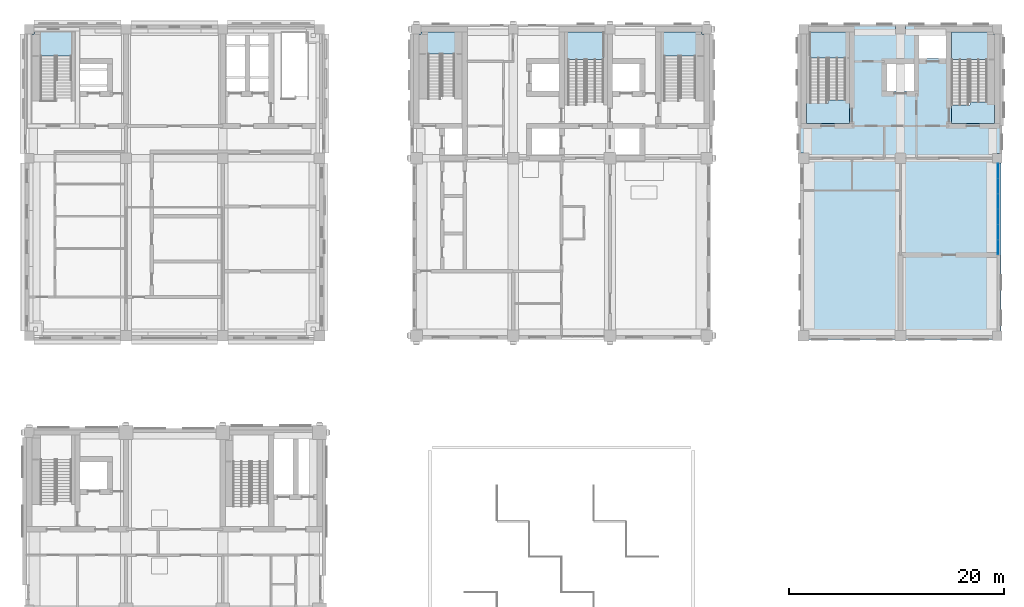
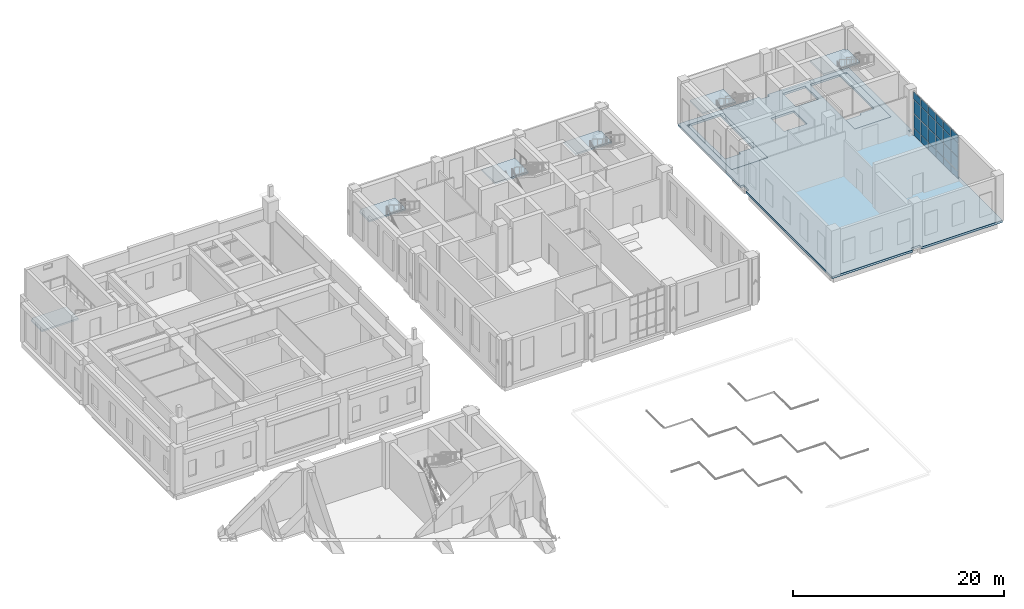
# One storey, part 15 of 37: 24 plates, 9 slabs, 7 elements without a shape of their own.
"""IFC4 building model written with IfcOpenShell, lengths in metres."""

import ifcopenshell
import ifcopenshell.guid

model = None  # the IFC model being written
_history = None  # IfcOwnerHistory: only IFC2X3 demands one
_inside = {}  # id of a spatial element -> (the spatial element, [elements in it])
_under = {}  # id of a project, library or spatial element -> (it, [spatial elements below it])
_declared = {}  # id of a project -> (the project, [libraries it declares])
_typed = {}  # id of a type object -> (the type object, [elements of that type])
_made_of = {}  # id of a material, layer set ... -> (it, [elements and type objects made of it])


def new_model(schema):
    """Start an empty IFC model of exactly this schema.

    Asked for "IFC4X3", IfcOpenShell would pick the latest addendum, in which some entities
    have other attributes; the version numbers below select the first issue.
    IFC2X3 requires an IfcOwnerHistory on every rooted entity: one is made here for all.
    """
    global model, _history
    if schema == "IFC4X3":
        model = ifcopenshell.file(schema_version=(4, 3, 0, 0))
    else:
        model = ifcopenshell.file(schema=schema)
    _inside.clear()
    _under.clear()
    _declared.clear()
    _typed.clear()
    _made_of.clear()
    _history = None
    if model.schema == "IFC2X3":
        org = make("IfcOrganization", Name="unknown")
        user = make(
            "IfcPersonAndOrganization",
            ThePerson=make("IfcPerson", FamilyName="unknown"),
            TheOrganization=org,
        )
        app = make(
            "IfcApplication",
            ApplicationDeveloper=org,
            Version="unknown",
            ApplicationFullName="unknown",
            ApplicationIdentifier="unknown",
        )
        _history = make(
            "IfcOwnerHistory",
            OwningUser=user,
            OwningApplication=app,
            ChangeAction="ADDED",
            CreationDate=0,
        )
    return model


def make(cls, **values):
    """One entity of the class cls with the attributes given. An attribute that is None is left unset."""
    return model.create_entity(
        cls, **{name: value for name, value in values.items() if value is not None}
    )


def rooted(cls, **values):
    """An entity with a GlobalId (a new one), such as an element, a storey or a relation."""
    return make(cls, GlobalId=ifcopenshell.guid.new(), OwnerHistory=_history, **values)


def si_unit(unit_type, name, prefix=None):
    """IfcSIUnit, for example si_unit("LENGTHUNIT", "METRE", prefix="MILLI")."""
    return make("IfcSIUnit", UnitType=unit_type, Prefix=prefix, Name=name)


def assignment(units):
    """IfcUnitAssignment: the units of a project."""
    return None if units is None else make("IfcUnitAssignment", Units=units)


def point(xyz):
    """IfcCartesianPoint."""
    return None if xyz is None else make("IfcCartesianPoint", Coordinates=xyz)


def direction(xyz):
    """IfcDirection."""
    return None if xyz is None else make("IfcDirection", DirectionRatios=xyz)


def frame(location, z_axis=None, x_axis=None):
    """IfcAxis2Placement3D, a coordinate frame: its origin and axes. An axis left out is left unset."""
    return make(
        "IfcAxis2Placement3D",
        Location=point(location),
        Axis=direction(z_axis),
        RefDirection=direction(x_axis),
    )


def frame_2d(location, x_axis=None):
    """IfcAxis2Placement2D, a coordinate frame in the plane: its origin and x axis."""
    return make(
        "IfcAxis2Placement2D", Location=point(location), RefDirection=direction(x_axis)
    )


def origin():
    """The frame at (0, 0, 0) with its axes left unset."""
    return frame((0.0, 0.0, 0.0))


def origin_2d():
    """The frame at (0, 0) in the plane with its x axis left unset."""
    return frame_2d((0.0, 0.0))


def place(relative_to, where):
    """IfcLocalPlacement: puts the frame where relative to a parent placement (None: the world)."""
    return make(
        "IfcLocalPlacement", PlacementRelTo=relative_to, RelativePlacement=where
    )


def context(
    kind, dimensions, precision=None, world=None, true_north=None, identifier=None
):
    """IfcGeometricRepresentationContext, for example the 3D "Model" context."""
    return make(
        "IfcGeometricRepresentationContext",
        ContextIdentifier=identifier,
        ContextType=kind,
        CoordinateSpaceDimension=dimensions,
        Precision=precision,
        WorldCoordinateSystem=world,
        TrueNorth=true_north,
    )


def subcontext(parent, identifier, kind, view, scale=None):
    """IfcGeometricRepresentationSubContext, for example "Body" below "Model"."""
    return make(
        "IfcGeometricRepresentationSubContext",
        ContextIdentifier=identifier,
        ContextType=kind,
        ParentContext=parent,
        TargetScale=scale,
        TargetView=view,
    )


def project(units=None, contexts=None):
    """IfcProject with its units and contexts."""
    return rooted(
        "IfcProject",
        Name="project",
        RepresentationContexts=contexts,
        UnitsInContext=assignment(units),
    )


def spatial(cls, under=None, at=None, **own):
    """A site, building, storey or space (cls), placed at a placement, below another one or the project."""
    s = rooted(cls, ObjectPlacement=at, **own)
    if under is not None:
        _under.setdefault(under.id(), (under, []))[1].append(s)
    return s


def polyline(points):
    """IfcPolyline through the points."""
    return make("IfcPolyline", Points=[point(p) for p in points])


def profile(cls, at=None, kind="AREA", **sizes):
    """A parametric profile (cls). Its sizes go by their IFC names, for example OverallWidth=200.0."""
    return make(cls, ProfileType=kind, Position=at, **sizes)


def rectangle(**sizes):
    """IfcRectangleProfileDef."""
    return profile("IfcRectangleProfileDef", **sizes)


def outline(outer, holes=None, kind="AREA"):
    """IfcArbitraryClosedProfileDef: a profile drawn as a closed curve; with holes, ...WithVoids."""
    if holes is None:
        return make("IfcArbitraryClosedProfileDef", ProfileType=kind, OuterCurve=outer)
    return make(
        "IfcArbitraryProfileDefWithVoids",
        ProfileType=kind,
        OuterCurve=outer,
        InnerCurves=holes,
    )


def extrude(swept, where, along, depth):
    """IfcExtrudedAreaSolid: the profile swept, set in the frame where, extruded along a direction by depth."""
    return make(
        "IfcExtrudedAreaSolid",
        SweptArea=swept,
        Position=where,
        ExtrudedDirection=direction(along),
        Depth=depth,
    )


def shape(context_of_items, identifier, shape_type, items):
    """IfcShapeRepresentation: the items that make up one representation, for example the "Body"."""
    return make(
        "IfcShapeRepresentation",
        ContextOfItems=context_of_items,
        RepresentationIdentifier=identifier,
        RepresentationType=shape_type,
        Items=items,
    )


def material(Name=None, Category=None):
    """IfcMaterial."""
    return make("IfcMaterial", Name=Name, Category=Category)


def layer(
    of_material, thickness, ventilated=None, Name=None, Category=None, Priority=None
):
    """IfcMaterialLayer: one layer of a wall or slab, of a material (None: an air gap)."""
    return make(
        "IfcMaterialLayer",
        Material=of_material,
        LayerThickness=thickness,
        IsVentilated=ventilated,
        Name=Name,
        Category=Category,
        Priority=Priority,
    )


def layer_set(layers, Name=None):
    """IfcMaterialLayerSet."""
    return make("IfcMaterialLayerSet", MaterialLayers=layers, LayerSetName=Name)


def made_of(thing, what):
    """Note that an element or type object is made of a material, layer set ...; save() writes the relation."""
    if what is not None:
        _made_of.setdefault(what.id(), (what, []))[1].append(thing)
    return thing


def type_object(cls, material=None, **own):
    """A type object (cls), such as IfcWallType, which elements share."""
    return made_of(rooted(cls, **own), material)


def element(
    cls,
    number,
    at=None,
    inside=None,
    cuts=None,
    type_object=None,
    material=None,
    context=None,
    identifier="Body",
    shape_type=None,
    held_by="IfcProductDefinitionShape",
    body=None,
    shapes=None,
    **own,
):
    """One element of the class cls, such as IfcWall. Its Tag is "e" and its number.

    at: its placement. inside: the storey or other place that contains it. cuts: it is an
    opening in that element (IfcRelVoidsElement). A single representation is given by context,
    identifier, shape_type and body (its items); several are given by shapes. held_by: the class
    of the entity that holds the representations. save() writes the other relations.
    """
    e = rooted(cls, Tag="e%d" % number, ObjectPlacement=at, **own)
    if body is not None:
        shapes = [shape(context, identifier, shape_type, body)]
    if shapes is not None:
        e.Representation = make(held_by, Representations=shapes)
    if inside is not None:
        _inside.setdefault(inside.id(), (inside, []))[1].append(e)
    if cuts is not None:
        rooted(
            "IfcRelVoidsElement", RelatingBuildingElement=cuts, RelatedOpeningElement=e
        )
    if type_object is not None:
        _typed.setdefault(type_object.id(), (type_object, []))[1].append(e)
    return made_of(e, material)


def aggregate(whole, parts):
    """IfcRelAggregates: a whole, such as a stair, and the parts it consists of."""
    return rooted("IfcRelAggregates", RelatingObject=whole, RelatedObjects=parts)


def save(model, path):
    """Write the relations noted so far, then the file.

    IfcRelAggregates (storeys below a building ...), IfcRelContainedInSpatialStructure (elements
    in a storey), IfcRelDefinesByType, IfcRelAssociatesMaterial and IfcRelDeclares: one each for
    every whole, place, type object, material and project.
    """
    for whole, parts in _under.values():
        aggregate(whole, parts)
    for where, things in _inside.values():
        rooted(
            "IfcRelContainedInSpatialStructure",
            RelatedElements=things,
            RelatingStructure=where,
        )
    for kind, things in _typed.values():
        rooted("IfcRelDefinesByType", RelatedObjects=things, RelatingType=kind)
    for what, things in _made_of.values():
        rooted("IfcRelAssociatesMaterial", RelatedObjects=things, RelatingMaterial=what)
    for by, libraries in _declared.values():
        rooted("IfcRelDeclares", RelatingContext=by, RelatedDefinitions=libraries)
    model.write(path)


model = new_model("IFC4")

# Units and contexts
model_context = context("Model", 3, precision=1e-05, world=origin(), true_north=direction((0.0, 1.0)))
body_context = subcontext(model_context, "Body", "Model", "MODEL_VIEW")
ifc_project = project(units=[si_unit("LENGTHUNIT", "METRE"), si_unit("AREAUNIT", "SQUARE_METRE"), si_unit("VOLUMEUNIT", "CUBIC_METRE"), si_unit("PLANEANGLEUNIT", "RADIAN"), si_unit("MASSUNIT", "GRAM", prefix="KILO")], contexts=[model_context])

# Site, building, storey
site_placement = place(None, origin())
site = spatial("IfcSite", under=ifc_project, at=site_placement, CompositionType="ELEMENT")
building_placement = place(site_placement, origin())
building = spatial("IfcBuilding", under=site, at=building_placement, Name="Aurelan Courthouse", CompositionType="ELEMENT")
storey_placement = place(building_placement, frame((0.0, 0.0, 17.39990234375)))
storey = spatial("IfcBuildingStorey", under=building, at=storey_placement, Name="L03", CompositionType="ELEMENT", Elevation=17.39990234375)

# Curtain wall, plates
ifc_material_1 = material(Name="Bronze-finished aluminium and glass", Category="aluminium")
ifc_layer_1 = layer(ifc_material_1, 0.14990234375)
ifc_layer_set_1 = layer_set([ifc_layer_1], Name="Bronze-finished aluminium and glass")
curtain_wall_type = type_object("IfcCurtainWallType", Name="Curtain wall 8550 x 5150", PredefinedType="NOTDEFINED", material=ifc_layer_set_1)
curtain_wall_placement = place(storey_placement, origin())
curtain_wall = element("IfcCurtainWall", 1, at=curtain_wall_placement, inside=storey, type_object=curtain_wall_type, Name="Curtain wall CW-V3-L03-E01", PredefinedType="NOTDEFINED")
ifc_material_2 = material(Name="Bronze-finished aluminium", Category="aluminium")
ifc_layer_2 = layer(ifc_material_2, 0.070068359375)
ifc_layer_set_2 = layer_set([ifc_layer_2], Name="Bronze-finished aluminium")
plate_type_1 = type_object("IfcPlateType", Name="Bronze spandrel panel 70", PredefinedType="CURTAIN_PANEL", material=ifc_layer_set_2)
plate_1_placement = place(storey_placement, frame((90.074951171875, 45.7275390625, 4.22998046875), z_axis=(0.0, 0.0, 1.0), x_axis=(0.0, 1.0, 0.0)))
plate_1 = element("IfcPlate", 2, at=plate_1_placement, type_object=plate_type_1, Name="CW-V3-L03-E01 spandrel panel 1.4", PredefinedType="CURTAIN_PANEL", context=body_context, shape_type="SweptSolid", body=[
    extrude(rectangle(XDim=1.3349609375, YDim=0.070068359375, at=origin_2d()), origin(), (0.0, 0.0, 1.0), 0.860107421875),
])
plate_2_placement = place(storey_placement, frame((90.074951171875, 47.137451171875, 4.22998046875), z_axis=(0.0, 0.0, 1.0), x_axis=(0.0, 1.0, 0.0)))
plate_2 = element("IfcPlate", 3, at=plate_2_placement, type_object=plate_type_1, Name="CW-V3-L03-E01 spandrel panel 2.4", PredefinedType="CURTAIN_PANEL", context=body_context, shape_type="SweptSolid", body=[
    extrude(rectangle(XDim=1.364990234375, YDim=0.070068359375, at=origin_2d()), origin(), (0.0, 0.0, 1.0), 0.860107421875),
])
plate_3_placement = place(storey_placement, frame((90.074951171875, 48.5625, 4.22998046875), z_axis=(0.0, 0.0, 1.0), x_axis=(0.0, 1.0, 0.0)))
plate_3 = element("IfcPlate", 4, at=plate_3_placement, type_object=plate_type_1, Name="CW-V3-L03-E01 spandrel panel 3.4", PredefinedType="CURTAIN_PANEL", context=body_context, shape_type="SweptSolid", body=[
    extrude(rectangle(XDim=1.364990234375, YDim=0.070068359375, at=origin_2d()), origin(), (0.0, 0.0, 1.0), 0.860107421875),
])
plate_4_placement = place(storey_placement, frame((90.074951171875, 49.987548828125, 4.22998046875), z_axis=(0.0, 0.0, 1.0), x_axis=(0.0, 1.0, 0.0)))
plate_4 = element("IfcPlate", 5, at=plate_4_placement, type_object=plate_type_1, Name="CW-V3-L03-E01 spandrel panel 4.4", PredefinedType="CURTAIN_PANEL", context=body_context, shape_type="SweptSolid", body=[
    extrude(rectangle(XDim=1.364990234375, YDim=0.070068359375, at=origin_2d()), origin(), (0.0, 0.0, 1.0), 0.860107421875),
])
plate_5_placement = place(storey_placement, frame((90.074951171875, 51.41259765625, 4.22998046875), z_axis=(0.0, 0.0, 1.0), x_axis=(0.0, 1.0, 0.0)))
plate_5 = element("IfcPlate", 6, at=plate_5_placement, type_object=plate_type_1, Name="CW-V3-L03-E01 spandrel panel 5.4", PredefinedType="CURTAIN_PANEL", context=body_context, shape_type="SweptSolid", body=[
    extrude(rectangle(XDim=1.364990234375, YDim=0.070068359375, at=origin_2d()), origin(), (0.0, 0.0, 1.0), 0.860107421875),
])
plate_6_placement = place(storey_placement, frame((90.074951171875, 52.822509765625, 4.22998046875), z_axis=(0.0, 0.0, 1.0), x_axis=(0.0, 1.0, 0.0)))
plate_6 = element("IfcPlate", 7, at=plate_6_placement, type_object=plate_type_1, Name="CW-V3-L03-E01 spandrel panel 6.4", PredefinedType="CURTAIN_PANEL", context=body_context, shape_type="SweptSolid", body=[
    extrude(rectangle(XDim=1.3349609375, YDim=0.070068359375, at=origin_2d()), origin(), (0.0, 0.0, 1.0), 0.860107421875),
])

# Slab
ifc_material_3 = material(Name="Concrete C40", Category="concrete")
ifc_layer_3 = layer(ifc_material_3, 0.25)
ifc_layer_set_3 = layer_set([ifc_layer_3], Name="Concrete C40")
slab_type_1 = type_object("IfcSlabType", Name="PT floor slab 250", PredefinedType="FLOOR", material=ifc_layer_set_3)
slab_1_placement = place(storey_placement, frame((0.0, 0.0, -0.25)))
element("IfcSlab", 8, at=slab_1_placement, inside=storey, type_object=slab_type_1, Name="Floor slab SL-L03-02", PredefinedType="FLOOR", context=body_context, shape_type="SweptSolid", body=[
    extrude(outline(polyline([(72.0, 53.5), (71.64990234375, 53.5), (71.64990234375, 38.0), (71.64990234375, 37.14990234375), (72.5, 37.14990234375), (80.5, 37.14990234375), (80.5, 37.5), (81.5, 37.5), (81.5, 37.14990234375), (89.550048828125, 37.14990234375), (90.35009765625, 37.14990234375), (90.35009765625, 37.949951171875), (90.35009765625, 53.550048828125), (90.0, 53.550048828125), (90.0, 54.449951171875), (90.35009765625, 54.449951171875), (90.35009765625, 65.550048828125), (90.35009765625, 66.35009765625), (89.550048828125, 66.35009765625), (81.449951171875, 66.35009765625), (81.449951171875, 66.0), (80.550048828125, 66.0), (80.550048828125, 66.35009765625), (72.449951171875, 66.35009765625), (71.64990234375, 66.35009765625), (71.64990234375, 65.550048828125), (71.64990234375, 54.5), (72.0, 54.5), (72.0, 53.5)]), holes=[polyline([(85.75, 57.25), (85.75, 65.75), (89.75, 65.75), (89.75, 57.25), (85.75, 57.25)]), polyline([(82.75, 65.75), (85.25, 65.75), (85.25, 63.25), (82.75, 63.25), (82.75, 65.75)]), polyline([(82.25, 62.75), (82.25, 60.25), (79.75, 60.25), (79.75, 62.75), (82.25, 62.75)]), polyline([(76.25, 57.25), (72.25, 57.25), (72.25, 65.75), (76.25, 65.75), (76.25, 57.25)])]), origin(), (0.0, 0.0, 1.0), 0.25),
])

# Plate
ifc_layer_4 = layer(ifc_material_2, 0.0400390625)
ifc_layer_set_4 = layer_set([ifc_layer_4], Name="Bronze-finished aluminium")
plate_type_2 = type_object("IfcPlateType", Name="Sill panel 40", PredefinedType="CURTAIN_PANEL", material=ifc_layer_set_4)
plate_7_placement = place(storey_placement, frame((90.074951171875, 45.7275390625, 0.06005859375), z_axis=(0.0, 0.0, 1.0), x_axis=(0.0, 1.0, 0.0)))
plate_7 = element("IfcPlate", 9, at=plate_7_placement, type_object=plate_type_2, Name="CW-V3-L03-E01 sill panel 1.1", PredefinedType="CURTAIN_PANEL", context=body_context, shape_type="SweptSolid", body=[
    extrude(rectangle(XDim=1.3349609375, YDim=0.0400390625, at=origin_2d()), origin(), (0.0, 0.0, 1.0), 0.81005859375),
])

plate_8_placement = place(storey_placement, frame((90.074951171875, 47.137451171875, 0.06005859375), z_axis=(0.0, 0.0, 1.0), x_axis=(0.0, 1.0, 0.0)))
plate_8 = element("IfcPlate", 10, at=plate_8_placement, type_object=plate_type_2, Name="CW-V3-L03-E01 sill panel 2.1", PredefinedType="CURTAIN_PANEL", context=body_context, shape_type="SweptSolid", body=[
    extrude(rectangle(XDim=1.364990234375, YDim=0.0400390625, at=origin_2d()), origin(), (0.0, 0.0, 1.0), 0.81005859375),
])

plate_9_placement = place(storey_placement, frame((90.074951171875, 48.5625, 0.06005859375), z_axis=(0.0, 0.0, 1.0), x_axis=(0.0, 1.0, 0.0)))
plate_9 = element("IfcPlate", 11, at=plate_9_placement, type_object=plate_type_2, Name="CW-V3-L03-E01 sill panel 3.1", PredefinedType="CURTAIN_PANEL", context=body_context, shape_type="SweptSolid", body=[
    extrude(rectangle(XDim=1.364990234375, YDim=0.0400390625, at=origin_2d()), origin(), (0.0, 0.0, 1.0), 0.81005859375),
])

plate_10_placement = place(storey_placement, frame((90.074951171875, 49.987548828125, 0.06005859375), z_axis=(0.0, 0.0, 1.0), x_axis=(0.0, 1.0, 0.0)))
plate_10 = element("IfcPlate", 12, at=plate_10_placement, type_object=plate_type_2, Name="CW-V3-L03-E01 sill panel 4.1", PredefinedType="CURTAIN_PANEL", context=body_context, shape_type="SweptSolid", body=[
    extrude(rectangle(XDim=1.364990234375, YDim=0.0400390625, at=origin_2d()), origin(), (0.0, 0.0, 1.0), 0.81005859375),
])

plate_11_placement = place(storey_placement, frame((90.074951171875, 51.41259765625, 0.06005859375), z_axis=(0.0, 0.0, 1.0), x_axis=(0.0, 1.0, 0.0)))
plate_11 = element("IfcPlate", 13, at=plate_11_placement, type_object=plate_type_2, Name="CW-V3-L03-E01 sill panel 5.1", PredefinedType="CURTAIN_PANEL", context=body_context, shape_type="SweptSolid", body=[
    extrude(rectangle(XDim=1.364990234375, YDim=0.0400390625, at=origin_2d()), origin(), (0.0, 0.0, 1.0), 0.81005859375),
])

plate_12_placement = place(storey_placement, frame((90.074951171875, 52.822509765625, 0.06005859375), z_axis=(0.0, 0.0, 1.0), x_axis=(0.0, 1.0, 0.0)))
plate_12 = element("IfcPlate", 14, at=plate_12_placement, type_object=plate_type_2, Name="CW-V3-L03-E01 sill panel 6.1", PredefinedType="CURTAIN_PANEL", context=body_context, shape_type="SweptSolid", body=[
    extrude(rectangle(XDim=1.3349609375, YDim=0.0400390625, at=origin_2d()), origin(), (0.0, 0.0, 1.0), 0.81005859375),
])

# Stair, slab
ifc_material_4 = material(Name="Concrete C30", Category="concrete")
stair_type_1 = type_object("IfcStairType", Name="Half-turn stair 1600 wide 31 risers", PredefinedType="HALF_TURN_STAIR", material=ifc_material_4)
stair_1_placement = place(storey_placement, origin())
stair_1 = element("IfcStair", 15, at=stair_1_placement, inside=storey, type_object=stair_type_1, Name="Stair ST-3A-L03", PredefinedType="HALF_TURN_STAIR")
ifc_layer_5 = layer(ifc_material_4, 0.25)
ifc_layer_set_5 = layer_set([ifc_layer_5], Name="Concrete C30")
slab_type_2 = type_object("IfcSlabType", Name="Stair floor landing 250 thick", PredefinedType="LANDING", material=ifc_layer_set_5)
slab_2_placement = place(storey_placement, frame((0.0, 0.0, -0.25)))
slab_2 = element("IfcSlab", 16, at=slab_2_placement, type_object=slab_type_2, Name="Stair ST-3A-L03 floor landing", PredefinedType="LANDING", context=body_context, shape_type="SweptSolid", body=[
    extrude(outline(polyline([(72.60009765625, 59.111083984375), (74.300048828125, 59.111083984375), (74.300048828125, 59.39111328125), (75.89990234375, 59.39111328125), (75.89990234375, 65.75), (76.25, 65.75), (76.25, 57.25), (72.25, 57.25), (72.25, 65.550048828125), (72.449951171875, 65.550048828125), (72.449951171875, 65.75), (72.60009765625, 65.75), (72.60009765625, 59.111083984375)])), origin(), (0.0, 0.0, 1.0), 0.25),
])

stair_2_placement = place(storey_placement, origin())
stair_2 = element("IfcStair", 17, at=stair_2_placement, inside=storey, type_object=stair_type_1, Name="Stair ST-3B-L03", PredefinedType="HALF_TURN_STAIR")
slab_3_placement = place(storey_placement, frame((0.0, 0.0, -0.25)))
slab_3 = element("IfcSlab", 18, at=slab_3_placement, type_object=slab_type_2, Name="Stair ST-3B-L03 floor landing", PredefinedType="LANDING", context=body_context, shape_type="SweptSolid", body=[
    extrude(outline(polyline([(89.050048828125, 59.240966796875), (89.050048828125, 65.590087890625), (89.050048828125, 65.60009765625), (89.050048828125, 65.75), (89.550048828125, 65.75), (89.550048828125, 65.550048828125), (89.75, 65.550048828125), (89.75, 57.25), (89.60009765625, 57.25), (89.590087890625, 57.25), (85.75, 57.25), (85.75, 58.9609375), (87.449951171875, 58.9609375), (87.449951171875, 59.240966796875), (89.050048828125, 59.240966796875)])), origin(), (0.0, 0.0, 1.0), 0.25),
])

stair_type_2 = type_object("IfcStairType", Name="Half-turn stair 1200 wide 31 risers", PredefinedType="HALF_TURN_STAIR", material=ifc_material_4)
stair_3_placement = place(storey_placement, origin())
stair_3 = element("IfcStair", 19, at=stair_3_placement, inside=storey, type_object=stair_type_2, Name="Stair CS-2-L03", PredefinedType="HALF_TURN_STAIR")
ifc_layer_6 = layer(ifc_material_4, 0.199951171875)
ifc_layer_set_6 = layer_set([ifc_layer_6], Name="Concrete C30")
slab_type_3 = type_object("IfcSlabType", Name="Stair half landing 200 thick", PredefinedType="LANDING", material=ifc_layer_set_6)
slab_4_placement = place(storey_placement, frame((0.0, 0.0, 2.587158203125)))
slab_4 = element("IfcSlab", 20, at=slab_4_placement, type_object=slab_type_3, Name="Stair CS-2-L03 half landing", PredefinedType="LANDING", context=body_context, shape_type="SweptSolid", body=[
    extrude(outline(polyline([(36.25, 65.550048828125), (36.449951171875, 65.550048828125), (36.449951171875, 65.75), (40.25, 65.75), (40.25, 63.7099609375), (36.25, 63.7099609375), (36.25, 65.550048828125)])), origin(), (0.0, 0.0, 1.0), 0.199951171875),
])
aggregate(stair_3, [slab_4])

stair_4_placement = place(storey_placement, origin())
stair_4 = element("IfcStair", 21, at=stair_4_placement, inside=storey, type_object=stair_type_1, Name="Stair ST-2A-L03", PredefinedType="HALF_TURN_STAIR")
slab_5_placement = place(storey_placement, frame((0.0, 0.0, 2.587158203125)))
slab_5 = element("IfcSlab", 22, at=slab_5_placement, type_object=slab_type_3, Name="Stair ST-2A-L03 half landing", PredefinedType="LANDING", context=body_context, shape_type="SweptSolid", body=[
    extrude(outline(polyline([(49.75, 63.159912109375), (49.75, 65.75), (53.39990234375, 65.75), (53.39990234375, 63.159912109375), (49.75, 63.159912109375)])), origin(), (0.0, 0.0, 1.0), 0.199951171875),
])
aggregate(stair_4, [slab_5])

stair_type_3 = type_object("IfcStairType", Name="Half-turn stair 1400 wide 31 risers", PredefinedType="HALF_TURN_STAIR", material=ifc_material_4)
stair_5_placement = place(storey_placement, origin())
stair_5 = element("IfcStair", 23, at=stair_5_placement, inside=storey, type_object=stair_type_3, Name="Stair ST-2E-L03", PredefinedType="HALF_TURN_STAIR")
slab_6_placement = place(storey_placement, frame((0.0, 0.0, 2.587158203125)))
slab_6 = element("IfcSlab", 24, at=slab_6_placement, type_object=slab_type_3, Name="Stair ST-2E-L03 half landing", PredefinedType="LANDING", context=body_context, shape_type="SweptSolid", body=[
    extrude(outline(polyline([(58.75, 65.75), (62.550048828125, 65.75), (62.550048828125, 65.550048828125), (62.75, 65.550048828125), (62.75, 63.510009765625), (58.75, 63.510009765625), (58.75, 65.75)])), origin(), (0.0, 0.0, 1.0), 0.199951171875),
])
aggregate(stair_5, [slab_6])

# Slab
slab_7_placement = place(storey_placement, frame((0.0, 0.0, 2.587158203125)))
slab_7 = element("IfcSlab", 25, at=slab_7_placement, type_object=slab_type_3, Name="Stair ST-3A-L03 half landing", PredefinedType="LANDING", context=body_context, shape_type="SweptSolid", body=[
    extrude(outline(polyline([(72.60009765625, 65.75), (76.25, 65.75), (76.25, 63.31005859375), (72.60009765625, 63.31005859375), (72.60009765625, 65.75)])), origin(), (0.0, 0.0, 1.0), 0.199951171875),
])

aggregate(stair_1, [slab_7, slab_2])

slab_8_placement = place(storey_placement, frame((0.0, 0.0, 2.587158203125)))
slab_8 = element("IfcSlab", 26, at=slab_8_placement, type_object=slab_type_3, Name="Stair ST-3B-L03 half landing", PredefinedType="LANDING", context=body_context, shape_type="SweptSolid", body=[
    extrude(outline(polyline([(85.75, 63.159912109375), (85.75, 65.75), (89.550048828125, 65.75), (89.550048828125, 65.550048828125), (89.75, 65.550048828125), (89.75, 63.159912109375), (85.75, 63.159912109375)])), origin(), (0.0, 0.0, 1.0), 0.199951171875),
])

aggregate(stair_2, [slab_8, slab_3])

# Stair, slab
stair_6_placement = place(storey_placement, origin())
stair_6 = element("IfcStair", 27, at=stair_6_placement, inside=storey, type_object=stair_type_3, Name="Stair ST-6-L03", PredefinedType="HALF_TURN_STAIR")
slab_9_placement = place(storey_placement, frame((0.0, 0.0, 2.587158203125)))
slab_9 = element("IfcSlab", 28, at=slab_9_placement, type_object=slab_type_3, Name="Stair ST-6-L03 half landing", PredefinedType="LANDING", context=body_context, shape_type="SweptSolid", body=[
    extrude(outline(polyline([(0.25, 65.550048828125), (0.449951171875, 65.550048828125), (0.449951171875, 65.75), (4.25, 65.75), (4.25, 63.510009765625), (0.25, 63.510009765625), (0.25, 65.550048828125)])), origin(), (0.0, 0.0, 1.0), 0.199951171875),
])
aggregate(stair_6, [slab_9])

# Plate
ifc_material_5 = material(Name="Laminated low-emissivity glass", Category="glass")
ifc_layer_7 = layer(ifc_material_5, 0.031982421875)
ifc_layer_set_7 = layer_set([ifc_layer_7], Name="Laminated low-emissivity glass")
plate_type_3 = type_object("IfcPlateType", Name="Vision glass panel 32", PredefinedType="CURTAIN_PANEL", material=ifc_layer_set_7)
plate_13_placement = place(storey_placement, frame((90.074951171875, 45.7275390625, 0.93017578125), z_axis=(0.0, 0.0, 1.0), x_axis=(0.0, 1.0, 0.0)))
plate_13 = element("IfcPlate", 29, at=plate_13_placement, type_object=plate_type_3, Name="CW-V3-L03-E01 vision panel 1.2", PredefinedType="CURTAIN_PANEL", context=body_context, shape_type="SweptSolid", body=[
    extrude(rectangle(XDim=1.3349609375, YDim=0.031982421875, at=origin_2d()), origin(), (0.0, 0.0, 1.0), 1.590087890625),
])

plate_14_placement = place(storey_placement, frame((90.074951171875, 45.7275390625, 2.580078125), z_axis=(0.0, 0.0, 1.0), x_axis=(0.0, 1.0, 0.0)))
plate_14 = element("IfcPlate", 30, at=plate_14_placement, type_object=plate_type_3, Name="CW-V3-L03-E01 vision panel 1.3", PredefinedType="CURTAIN_PANEL", context=body_context, shape_type="SweptSolid", body=[
    extrude(rectangle(XDim=1.3349609375, YDim=0.031982421875, at=origin_2d()), origin(), (0.0, 0.0, 1.0), 1.590087890625),
])

plate_15_placement = place(storey_placement, frame((90.074951171875, 47.137451171875, 0.93017578125), z_axis=(0.0, 0.0, 1.0), x_axis=(0.0, 1.0, 0.0)))
plate_15 = element("IfcPlate", 31, at=plate_15_placement, type_object=plate_type_3, Name="CW-V3-L03-E01 vision panel 2.2", PredefinedType="CURTAIN_PANEL", context=body_context, shape_type="SweptSolid", body=[
    extrude(rectangle(XDim=1.364990234375, YDim=0.031982421875, at=origin_2d()), origin(), (0.0, 0.0, 1.0), 1.590087890625),
])

plate_16_placement = place(storey_placement, frame((90.074951171875, 47.137451171875, 2.580078125), z_axis=(0.0, 0.0, 1.0), x_axis=(0.0, 1.0, 0.0)))
plate_16 = element("IfcPlate", 32, at=plate_16_placement, type_object=plate_type_3, Name="CW-V3-L03-E01 vision panel 2.3", PredefinedType="CURTAIN_PANEL", context=body_context, shape_type="SweptSolid", body=[
    extrude(rectangle(XDim=1.364990234375, YDim=0.031982421875, at=origin_2d()), origin(), (0.0, 0.0, 1.0), 1.590087890625),
])

plate_17_placement = place(storey_placement, frame((90.074951171875, 48.5625, 0.93017578125), z_axis=(0.0, 0.0, 1.0), x_axis=(0.0, 1.0, 0.0)))
plate_17 = element("IfcPlate", 33, at=plate_17_placement, type_object=plate_type_3, Name="CW-V3-L03-E01 vision panel 3.2", PredefinedType="CURTAIN_PANEL", context=body_context, shape_type="SweptSolid", body=[
    extrude(rectangle(XDim=1.364990234375, YDim=0.031982421875, at=origin_2d()), origin(), (0.0, 0.0, 1.0), 1.590087890625),
])

plate_18_placement = place(storey_placement, frame((90.074951171875, 48.5625, 2.580078125), z_axis=(0.0, 0.0, 1.0), x_axis=(0.0, 1.0, 0.0)))
plate_18 = element("IfcPlate", 34, at=plate_18_placement, type_object=plate_type_3, Name="CW-V3-L03-E01 vision panel 3.3", PredefinedType="CURTAIN_PANEL", context=body_context, shape_type="SweptSolid", body=[
    extrude(rectangle(XDim=1.364990234375, YDim=0.031982421875, at=origin_2d()), origin(), (0.0, 0.0, 1.0), 1.590087890625),
])

plate_19_placement = place(storey_placement, frame((90.074951171875, 49.987548828125, 0.93017578125), z_axis=(0.0, 0.0, 1.0), x_axis=(0.0, 1.0, 0.0)))
plate_19 = element("IfcPlate", 35, at=plate_19_placement, type_object=plate_type_3, Name="CW-V3-L03-E01 vision panel 4.2", PredefinedType="CURTAIN_PANEL", context=body_context, shape_type="SweptSolid", body=[
    extrude(rectangle(XDim=1.364990234375, YDim=0.031982421875, at=origin_2d()), origin(), (0.0, 0.0, 1.0), 1.590087890625),
])

plate_20_placement = place(storey_placement, frame((90.074951171875, 49.987548828125, 2.580078125), z_axis=(0.0, 0.0, 1.0), x_axis=(0.0, 1.0, 0.0)))
plate_20 = element("IfcPlate", 36, at=plate_20_placement, type_object=plate_type_3, Name="CW-V3-L03-E01 vision panel 4.3", PredefinedType="CURTAIN_PANEL", context=body_context, shape_type="SweptSolid", body=[
    extrude(rectangle(XDim=1.364990234375, YDim=0.031982421875, at=origin_2d()), origin(), (0.0, 0.0, 1.0), 1.590087890625),
])

plate_21_placement = place(storey_placement, frame((90.074951171875, 51.41259765625, 0.93017578125), z_axis=(0.0, 0.0, 1.0), x_axis=(0.0, 1.0, 0.0)))
plate_21 = element("IfcPlate", 37, at=plate_21_placement, type_object=plate_type_3, Name="CW-V3-L03-E01 vision panel 5.2", PredefinedType="CURTAIN_PANEL", context=body_context, shape_type="SweptSolid", body=[
    extrude(rectangle(XDim=1.364990234375, YDim=0.031982421875, at=origin_2d()), origin(), (0.0, 0.0, 1.0), 1.590087890625),
])

plate_22_placement = place(storey_placement, frame((90.074951171875, 51.41259765625, 2.580078125), z_axis=(0.0, 0.0, 1.0), x_axis=(0.0, 1.0, 0.0)))
plate_22 = element("IfcPlate", 38, at=plate_22_placement, type_object=plate_type_3, Name="CW-V3-L03-E01 vision panel 5.3", PredefinedType="CURTAIN_PANEL", context=body_context, shape_type="SweptSolid", body=[
    extrude(rectangle(XDim=1.364990234375, YDim=0.031982421875, at=origin_2d()), origin(), (0.0, 0.0, 1.0), 1.590087890625),
])

plate_23_placement = place(storey_placement, frame((90.074951171875, 52.822509765625, 0.93017578125), z_axis=(0.0, 0.0, 1.0), x_axis=(0.0, 1.0, 0.0)))
plate_23 = element("IfcPlate", 39, at=plate_23_placement, type_object=plate_type_3, Name="CW-V3-L03-E01 vision panel 6.2", PredefinedType="CURTAIN_PANEL", context=body_context, shape_type="SweptSolid", body=[
    extrude(rectangle(XDim=1.3349609375, YDim=0.031982421875, at=origin_2d()), origin(), (0.0, 0.0, 1.0), 1.590087890625),
])

plate_24_placement = place(storey_placement, frame((90.074951171875, 52.822509765625, 2.580078125), z_axis=(0.0, 0.0, 1.0), x_axis=(0.0, 1.0, 0.0)))
plate_24 = element("IfcPlate", 40, at=plate_24_placement, type_object=plate_type_3, Name="CW-V3-L03-E01 vision panel 6.3", PredefinedType="CURTAIN_PANEL", context=body_context, shape_type="SweptSolid", body=[
    extrude(rectangle(XDim=1.3349609375, YDim=0.031982421875, at=origin_2d()), origin(), (0.0, 0.0, 1.0), 1.590087890625),
])

aggregate(curtain_wall, [plate_7, plate_13, plate_14, plate_1, plate_8, plate_15, plate_16, plate_2, plate_9, plate_17, plate_18, plate_3, plate_10, plate_19, plate_20, plate_4, plate_11, plate_21, plate_22, plate_5, plate_12, plate_23, plate_24, plate_6])

save(model, "model.ifc")
